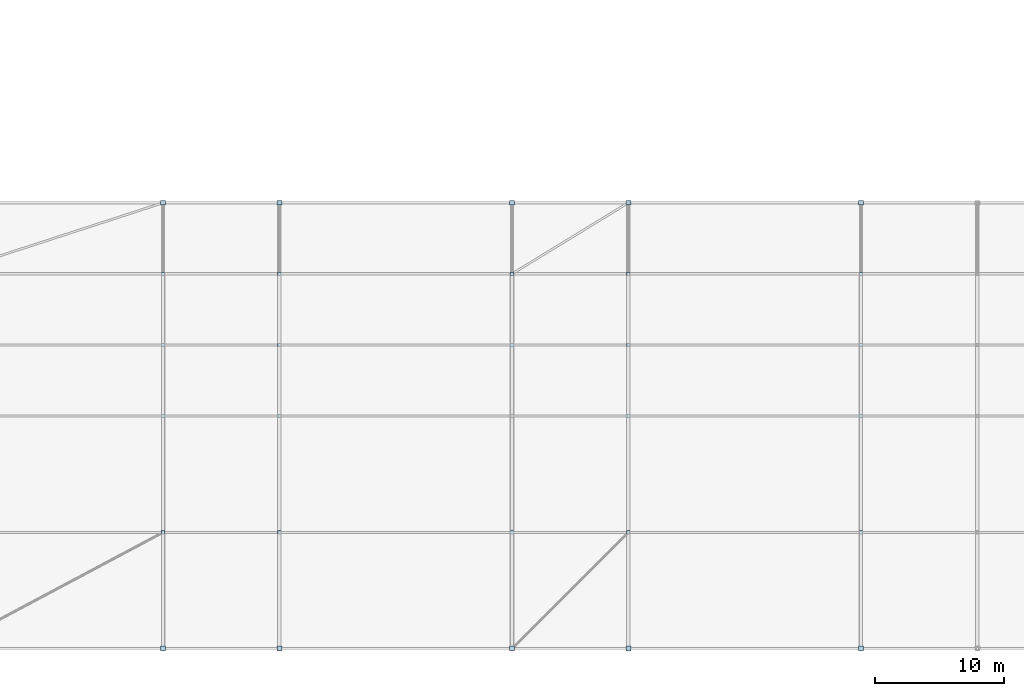
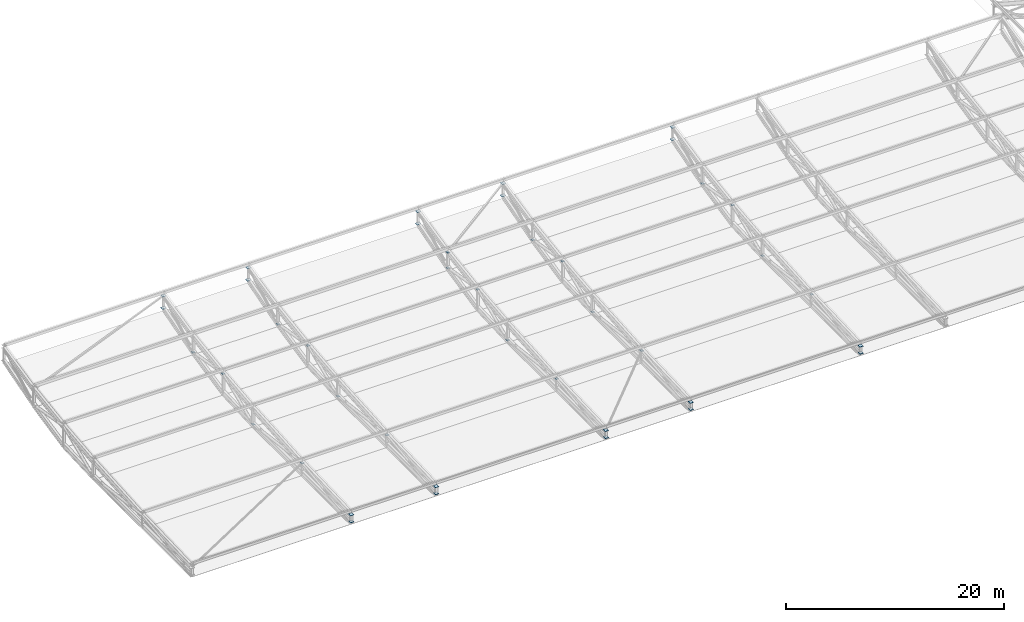
# One storey, part 94 of 114: 41 plates.
"""IFC4 building model written with IfcOpenShell, lengths in metres."""

from ifc_helpers import new_model, si_unit, direction, frame, origin, origin_2d, place, context, subcontext, project, spatial, rectangle, extrude, material, layer, layer_set, type_object, element, save


model = new_model("IFC4")

# Units and contexts
model_context = context("Model", 3, precision=1e-05, world=origin(), true_north=direction((0.0, 1.0)))
body_context = subcontext(model_context, "Body", "Model", "MODEL_VIEW")
ifc_project = project(units=[si_unit("LENGTHUNIT", "METRE"), si_unit("AREAUNIT", "SQUARE_METRE"), si_unit("VOLUMEUNIT", "CUBIC_METRE"), si_unit("PLANEANGLEUNIT", "RADIAN"), si_unit("MASSUNIT", "GRAM", prefix="KILO"), si_unit("THERMODYNAMICTEMPERATUREUNIT", "KELVIN"), si_unit("POWERUNIT", "WATT")], contexts=[model_context])

# Site, building, storey
site_placement = place(None, origin())
site = spatial("IfcSite", under=ifc_project, at=site_placement, CompositionType="ELEMENT")
building_placement = place(site_placement, origin())
building = spatial("IfcBuilding", under=site, at=building_placement, Name="Sindhuravela Promenade Stadium", CompositionType="ELEMENT")
storey_placement = place(building_placement, frame((0.0, 0.0, 24.0)))
storey = spatial("IfcBuildingStorey", under=building, at=storey_placement, Name="L05", CompositionType="ELEMENT", Elevation=24.0)

# Plates
ifc_material = material(Name="Steel E350 (IS 2062 E350BR)", Category="steel")
ifc_layer_1 = layer(ifc_material, 0.02392578125)
ifc_layer_set_1 = layer_set([ifc_layer_1], Name="Steel E350 (IS 2062 E350BR)")
plate_type_1 = type_object("IfcPlateType", Name="ST-PL-CAP24", PredefinedType="USERDEFINED", material=ifc_layer_set_1)
for number, where, z_axis, x_axis, name in (
    (1, (72.0, 18.0, 1.115234375), (0.0, 0.0, 1.0), (1.0, 0.0, 0.0), "Brace end cap plate CP01 S-43"),
    (2, (108.0, 18.0, 1.115234375), (0.0, 0.0, 1.0), (1.0, 0.0, 0.0), "Brace end cap plate CP01 S-45"),
    (3, (99.0, 38.0, 3.1572265625), (0.0, 0.0, 1.0), (1.0, 0.0, 0.0), "Brace end cap plate CP01 S-46"),
):
    element("IfcPlate", number, at=place(storey_placement, frame(where, z_axis=z_axis, x_axis=x_axis)), inside=storey, type_object=plate_type_1, Name=name, ObjectType="GUSSET PLATE", PredefinedType="USERDEFINED", context=body_context, shape_type="SweptSolid", body=[
        extrude(rectangle(XDim=0.280029296875, YDim=0.280029296875, at=origin_2d()), origin(), (0.0, 0.0, 1.0), 0.02392578125),
    ])
for number, where, z_axis, x_axis, name in (
    (4, (72.0, 27.0, -0.011962890625), (0.0, 0.0, 1.0), (1.0, 0.0, 0.0), "Brace end gusset plate CP01 BR-0131B"),
    (5, (72.0, 32.5, 2.340576171875), (0.0, 0.0, 1.0), (1.0, 0.0, 0.0), "Brace end gusset plate CP01 BR-0132B"),
    (6, (72.0, 38.0, 1.4072265625), (0.0, 0.0, 1.0), (1.0, 0.0, 0.0), "Brace end gusset plate CP01 BR-0133B"),
    (7, (81.0, 18.0, 1.115234375), (0.0, 0.0, 1.0), (1.0, 0.0, 0.0), "Brace end gusset plate CP01 BR-0134B"),
    (8, (81.0, 27.0, -0.011962890625), (0.0, 0.0, 1.0), (1.0, 0.0, 0.0), "Brace end gusset plate CP01 BR-0135B"),
    (9, (81.0, 32.5, 2.340576171875), (0.0, 0.0, 1.0), (1.0, 0.0, 0.0), "Brace end gusset plate CP01 BR-0136B"),
    (10, (81.0, 38.0, 1.4072265625), (0.0, 0.0, 1.0), (1.0, 0.0, 0.0), "Brace end gusset plate CP01 BR-0137B"),
    (11, (99.0, 18.0, 1.115234375), (0.0, 0.0, 1.0), (1.0, 0.0, 0.0), "Brace end gusset plate CP01 BR-0138B"),
    (12, (99.0, 27.0, -0.011962890625), (0.0, 0.0, 1.0), (1.0, 0.0, 0.0), "Brace end gusset plate CP01 BR-0139B"),
    (13, (99.0, 32.5, 2.340576171875), (0.0, 0.0, 1.0), (1.0, 0.0, 0.0), "Brace end gusset plate CP01 BR-0140B"),
    (14, (99.0, 38.0, 1.4072265625), (0.0, 0.0, 1.0), (1.0, 0.0, 0.0), "Brace end gusset plate CP01 BR-0141B"),
    (15, (108.0, 27.0, -0.011962890625), (0.0, 0.0, 1.0), (1.0, 0.0, 0.0), "Brace end gusset plate CP01 BR-0142B"),
    (16, (108.0, 32.5, 2.340576171875), (0.0, 0.0, 1.0), (1.0, 0.0, 0.0), "Brace end gusset plate CP01 BR-0143B"),
    (17, (108.0, 38.0, 1.4072265625), (0.0, 0.0, 1.0), (1.0, 0.0, 0.0), "Brace end gusset plate CP01 BR-0144B"),
    (18, (126.0, 18.0, 1.115234375), (0.0, 0.0, 1.0), (1.0, 0.0, 0.0), "Brace end gusset plate CP01 BR-0145B"),
    (19, (126.0, 27.0, -0.011962890625), (0.0, 0.0, 1.0), (1.0, 0.0, 0.0), "Brace end gusset plate CP01 BR-0146B"),
    (20, (126.0, 32.5, 2.340576171875), (0.0, 0.0, 1.0), (1.0, 0.0, 0.0), "Brace end gusset plate CP01 BR-0147B"),
    (21, (126.0, 38.0, 1.4072265625), (0.0, 0.0, 1.0), (1.0, 0.0, 0.0), "Brace end gusset plate CP01 BR-0148B"),
):
    element("IfcPlate", number, at=place(storey_placement, frame(where, z_axis=z_axis, x_axis=x_axis)), inside=storey, type_object=plate_type_1, Name=name, ObjectType="GUSSET PLATE", PredefinedType="USERDEFINED", context=body_context, shape_type="SweptSolid", body=[
        extrude(rectangle(XDim=0.260009765625, YDim=0.260009765625, at=origin_2d()), origin(), (0.0, 0.0, 1.0), 0.02392578125),
    ])
ifc_layer_2 = layer(ifc_material, 0.033935546875)
ifc_layer_set_2 = layer_set([ifc_layer_2], Name="Steel E350 (IS 2062 E350BR)")
plate_type_2 = type_object("IfcPlateType", Name="ST-PL-CAP34", PredefinedType="USERDEFINED", material=ifc_layer_set_2)
for number, where, z_axis, x_axis, name in (
    (22, (72.0, 9.0, 0.783203125), (0.0, 0.0, 1.0), (1.0, 0.0, 0.0), "Truss end gusset cap plate CP02 S02-1T"),
    (23, (72.0, 9.0, -0.01708984375), (0.0, 0.0, 1.0), (1.0, 0.0, 0.0), "Truss end gusset cap plate CP02 S02-1B"),
    (24, (72.0, 43.5, 4.3828125), (0.0, 0.0, 1.0), (1.0, 0.0, 0.0), "Truss end gusset cap plate CP02 S02-6T"),
    (25, (72.0, 43.5, 3.0078125), (0.0, 0.0, 1.0), (1.0, 0.0, 0.0), "Truss end gusset cap plate CP02 S02-6B"),
    (26, (81.0, 9.0, 0.783203125), (0.0, 0.0, 1.0), (1.0, 0.0, 0.0), "Truss end gusset cap plate CP02 S03-1T"),
    (27, (81.0, 9.0, -0.01708984375), (0.0, 0.0, 1.0), (1.0, 0.0, 0.0), "Truss end gusset cap plate CP02 S03-1B"),
    (28, (81.0, 43.5, 4.3828125), (0.0, 0.0, 1.0), (1.0, 0.0, 0.0), "Truss end gusset cap plate CP02 S03-6T"),
    (29, (81.0, 43.5, 3.0078125), (0.0, 0.0, 1.0), (1.0, 0.0, 0.0), "Truss end gusset cap plate CP02 S03-6B"),
    (30, (99.0, 9.0, 0.783203125), (0.0, 0.0, 1.0), (1.0, 0.0, 0.0), "Truss end gusset cap plate CP02 S04-1T"),
    (31, (99.0, 9.0, -0.01708984375), (0.0, 0.0, 1.0), (1.0, 0.0, 0.0), "Truss end gusset cap plate CP02 S04-1B"),
    (32, (99.0, 43.5, 4.3828125), (0.0, 0.0, 1.0), (1.0, 0.0, 0.0), "Truss end gusset cap plate CP02 S04-6T"),
    (33, (99.0, 43.5, 3.0078125), (0.0, 0.0, 1.0), (1.0, 0.0, 0.0), "Truss end gusset cap plate CP02 S04-6B"),
    (34, (108.0, 9.0, 0.783203125), (0.0, 0.0, 1.0), (1.0, 0.0, 0.0), "Truss end gusset cap plate CP02 S05-1T"),
    (35, (108.0, 9.0, -0.01708984375), (0.0, 0.0, 1.0), (1.0, 0.0, 0.0), "Truss end gusset cap plate CP02 S05-1B"),
    (36, (108.0, 43.5, 4.3828125), (0.0, 0.0, 1.0), (1.0, 0.0, 0.0), "Truss end gusset cap plate CP02 S05-6T"),
    (37, (108.0, 43.5, 3.0078125), (0.0, 0.0, 1.0), (1.0, 0.0, 0.0), "Truss end gusset cap plate CP02 S05-6B"),
    (38, (126.0, 9.0, 0.783203125), (0.0, 0.0, 1.0), (1.0, 0.0, 0.0), "Truss end gusset cap plate CP02 S06-1T"),
    (39, (126.0, 9.0, -0.01708984375), (0.0, 0.0, 1.0), (1.0, 0.0, 0.0), "Truss end gusset cap plate CP02 S06-1B"),
    (40, (126.0, 43.5, 4.3828125), (0.0, 0.0, 1.0), (1.0, 0.0, 0.0), "Truss end gusset cap plate CP02 S06-6T"),
    (41, (126.0, 43.5, 3.0078125), (0.0, 0.0, 1.0), (1.0, 0.0, 0.0), "Truss end gusset cap plate CP02 S06-6B"),
):
    element("IfcPlate", number, at=place(storey_placement, frame(where, z_axis=z_axis, x_axis=x_axis)), inside=storey, type_object=plate_type_2, Name=name, ObjectType="GUSSET PLATE", PredefinedType="USERDEFINED", context=body_context, shape_type="SweptSolid", body=[
        extrude(rectangle(XDim=0.3798828125, YDim=0.3798828125, at=origin_2d()), origin(), (0.0, 0.0, 1.0), 0.033935546875),
    ])

save(model, "model.ifc")
